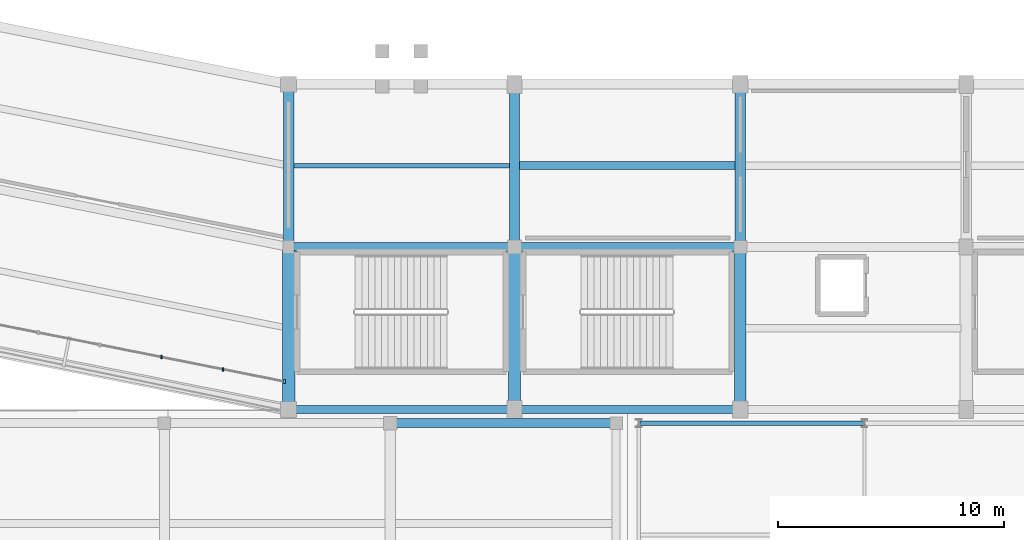
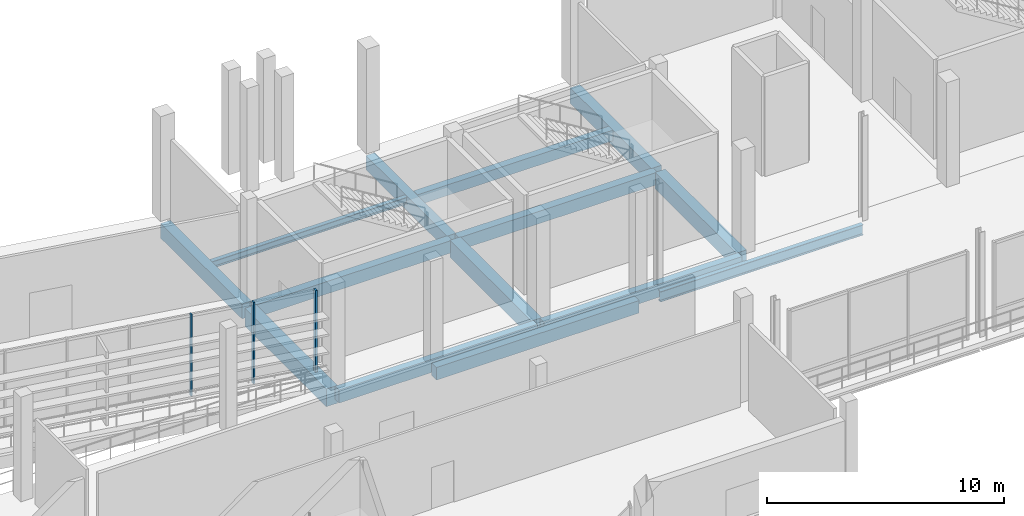
# One storey, part 19 of 111: 14 beams, 3 members, 1 element without a shape of its own.
"""IFC4 building model written with IfcOpenShell, lengths in metres."""

from ifc_helpers import new_model, si_unit, direction, frame, origin, origin_2d, place, context, subcontext, project, spatial, rectangle, i_section, extrude, material, material_profile, profile_set, type_object, element, aggregate, save


model = new_model("IFC4")

# Units and contexts
model_context = context("Model", 3, precision=1e-05, world=origin(), true_north=direction((0.0, 1.0)))
body_context = subcontext(model_context, "Body", "Model", "MODEL_VIEW")
ifc_project = project(units=[si_unit("LENGTHUNIT", "METRE"), si_unit("AREAUNIT", "SQUARE_METRE"), si_unit("VOLUMEUNIT", "CUBIC_METRE"), si_unit("PLANEANGLEUNIT", "RADIAN"), si_unit("MASSUNIT", "GRAM", prefix="KILO")], contexts=[model_context])

# Site, building, storey
site_placement = place(None, origin())
site = spatial("IfcSite", under=ifc_project, at=site_placement, CompositionType="ELEMENT")
building_placement = place(site_placement, origin())
building = spatial("IfcBuilding", under=site, at=building_placement, Name="Candeia Ridge Stadium", CompositionType="ELEMENT")
storey_placement = place(building_placement, frame((0.0, 0.0, 16.199951171875)))
storey = spatial("IfcBuildingStorey", under=building, at=storey_placement, Name="L03", CompositionType="ELEMENT", Elevation=16.199951171875)

# Beams
ifc_material_1 = material(Name="Concrete C40/50", Category="concrete")
ifc_material_profile_1 = material_profile(ifc_material_1, rectangle(XDim=0.35009765625, YDim=0.550048828125, at=origin_2d()), Name="RC350x550", Category="concrete")
ifc_profile_set_1 = profile_set([ifc_material_profile_1], Name="Concrete C40/50")
beam_type_1 = type_object("IfcBeamType", Name="Concourse Concrete Joist RC350x550", PredefinedType="JOIST", material=ifc_profile_set_1)
beam_1_placement = place(storey_placement, frame((81.221923828125, 29.800048828125, -0.52490234375), z_axis=(1.0, 0.0, 0.0), x_axis=(0.0, 1.0, 0.0)))
element("IfcBeam", 1, at=beam_1_placement, inside=storey, type_object=beam_type_1, Name="Concourse secondary joist BM-L03-0645", PredefinedType="JOIST", context=body_context, shape_type="SweptSolid", body=[
    extrude(rectangle(XDim=0.35009765625, YDim=0.550048828125, at=origin_2d()), origin(), (0.0, 0.0, 1.0), 9.55615234375),
])
ifc_material_2 = material(Name="Steel ASTM A572 Grade 50", Category="steel")
ifc_material_profile_2 = material_profile(ifc_material_2, i_section(OverallWidth=0.205078125, OverallDepth=0.35400390625, WebThickness=0.009521484375, FlangeThickness=0.016845703125, FilletRadius=0.014892578125, at=origin_2d()), Name="W360x79", Category="steel")
ifc_profile_set_2 = profile_set([ifc_material_profile_2], Name="Steel ASTM A572 Grade 50")
beam_type_2 = type_object("IfcBeamType", Name="Concourse Secondary Joist W360x79", PredefinedType="JOIST", material=ifc_profile_set_2)
beam_2_placement = place(storey_placement, frame((71.221923828125, 29.800048828125, -0.427001953125), z_axis=(1.0, 0.0, 0.0), x_axis=(0.0, 1.0, 0.0)))
element("IfcBeam", 2, at=beam_2_placement, inside=storey, type_object=beam_type_2, Name="Concourse secondary joist BM-L03-0641", PredefinedType="JOIST", context=body_context, shape_type="SweptSolid", body=[
    extrude(i_section(OverallWidth=0.205078125, OverallDepth=0.35400390625, WebThickness=0.009521484375, FlangeThickness=0.016845703125, FilletRadius=0.014892578125, at=origin_2d()), origin(), (0.0, 0.0, 1.0), 9.55615234375),
])

# Curtain wall, members
ifc_material_3 = material(Name="Aluminium Anodized Warm Bronze", Category="aluminium")
curtain_wall_type = type_object("IfcCurtainWallType", Name="Concourse Recessed Unitised Curtain Wall", PredefinedType="NOTDEFINED", material=ifc_material_3)
curtain_wall_placement = place(storey_placement, origin())
curtain_wall = element("IfcCurtainWall", 3, at=curtain_wall_placement, inside=storey, type_object=curtain_wall_type, Name="Unitised curtain wall CW-BWL-L03-17", PredefinedType="NOTDEFINED")
ifc_material_profile_3 = material_profile(ifc_material_3, rectangle(XDim=0.090087890625, YDim=0.179931640625, at=origin_2d()), Name="CWM-90x180", Category="aluminium")
ifc_profile_set_3 = profile_set([ifc_material_profile_3], Name="Aluminium Anodized Warm Bronze")
member_type_1 = type_object("IfcMemberType", Name="Curtain Wall Primary Mullion 90x180", PredefinedType="MULLION", material=ifc_profile_set_3)
member_1_placement = place(storey_placement, frame((70.823486328125, 20.235107421875, 0.0), z_axis=(0.0, 0.0, 1.0), x_axis=(1.0, 0.0, 0.0)))
member_1 = element("IfcMember", 4, at=member_1_placement, type_object=member_type_1, Name="Curtain wall mullion CW-BWL-L03-17-M7", PredefinedType="MULLION", context=body_context, shape_type="SweptSolid", body=[
    extrude(rectangle(XDim=0.090087890625, YDim=0.179931640625, at=origin_2d()), origin(), (0.0, 0.0, 1.0), 4.205078125),
])
ifc_material_profile_4 = material_profile(ifc_material_3, rectangle(XDim=0.074951171875, YDim=0.14990234375, at=origin_2d()), Name="CWM-75x150", Category="aluminium")
ifc_profile_set_4 = profile_set([ifc_material_profile_4], Name="Aluminium Anodized Warm Bronze")
member_type_2 = type_object("IfcMemberType", Name="Curtain Wall Secondary Mullion 75x150", PredefinedType="MULLION", material=ifc_profile_set_4)
member_2_placement = place(storey_placement, frame((65.3701171875, 21.31982421875, 0.0), z_axis=(0.0, 0.0, 1.0), x_axis=(1.0, 0.0, 0.0)))
member_2 = element("IfcMember", 5, at=member_2_placement, type_object=member_type_2, Name="Curtain wall mullion CW-BWL-L03-17-M5", PredefinedType="MULLION", context=body_context, shape_type="SweptSolid", body=[
    extrude(rectangle(XDim=0.074951171875, YDim=0.14990234375, at=origin_2d()), origin(), (0.0, 0.0, 1.0), 4.205078125),
])
member_3_placement = place(storey_placement, frame((68.0966796875, 20.777587890625, 0.0), z_axis=(0.0, 0.0, 1.0), x_axis=(1.0, 0.0, 0.0)))
member_3 = element("IfcMember", 6, at=member_3_placement, type_object=member_type_2, Name="Curtain wall mullion CW-BWL-L03-17-M6", PredefinedType="MULLION", context=body_context, shape_type="SweptSolid", body=[
    extrude(rectangle(XDim=0.074951171875, YDim=0.14990234375, at=origin_2d()), origin(), (0.0, 0.0, 1.0), 4.205078125),
])
aggregate(curtain_wall, [member_2, member_3, member_1])

# Beams
ifc_material_profile_5 = material_profile(ifc_material_1, rectangle(XDim=0.389892578125, YDim=0.639892578125, at=origin_2d()), Name="RC390x640", Category="concrete")
ifc_profile_set_5 = profile_set([ifc_material_profile_5], Name="Concrete C40/50")
beam_type_3 = type_object("IfcBeamType", Name="Frame Girder RC390x640", PredefinedType="BEAM", material=ifc_profile_set_5)
for number, where, z_axis, x_axis, name in (
    (7, (71.159912109375, 26.199951171875, -0.570068359375), (1.0, 0.0, 0.0), (0.0, 1.0, 0.0), "Concourse spine girder BM-L03-0639"),
    (8, (81.159912109375, 26.199951171875, -0.570068359375), (1.0, 0.0, 0.0), (0.0, 1.0, 0.0), "Concourse spine girder BM-L03-0643"),
):
    element("IfcBeam", number, at=place(storey_placement, frame(where, z_axis=z_axis, x_axis=x_axis)), inside=storey, type_object=beam_type_3, Name=name, PredefinedType="BEAM", context=body_context, shape_type="SweptSolid", body=[
        extrude(rectangle(XDim=0.389892578125, YDim=0.639892578125, at=origin_2d()), origin(), (0.0, 0.0, 1.0), 9.68017578125),
    ])
ifc_material_profile_6 = material_profile(ifc_material_1, rectangle(XDim=0.429931640625, YDim=0.739990234375, at=origin_2d()), Name="RC430x740", Category="concrete")
ifc_profile_set_6 = profile_set([ifc_material_profile_6], Name="Concrete C40/50")
beam_type_4 = type_object("IfcBeamType", Name="Frame Girder RC430x740", PredefinedType="BEAM", material=ifc_profile_set_6)
beam_3_placement = place(storey_placement, frame((81.0, 33.239990234375, -0.619873046875), z_axis=(0.0, -1.0, 0.0), x_axis=(1.0, 0.0, 0.0)))
element("IfcBeam", 9, at=beam_3_placement, inside=storey, type_object=beam_type_4, Name="Bowl radial girder BM-L03-0519", PredefinedType="BEAM", context=body_context, shape_type="SweptSolid", body=[
    extrude(rectangle(XDim=0.429931640625, YDim=0.739990234375, at=origin_2d()), origin(), (0.0, 0.0, 1.0), 6.8798828125),
])
ifc_material_profile_7 = material_profile(ifc_material_1, rectangle(XDim=0.469970703125, YDim=0.760009765625, at=origin_2d()), Name="RC470x760", Category="concrete")
ifc_profile_set_7 = profile_set([ifc_material_profile_7], Name="Concrete C40/50")
beam_type_5 = type_object("IfcBeamType", Name="Frame Girder RC470x760", PredefinedType="BEAM", material=ifc_profile_set_7)
beam_4_placement = place(storey_placement, frame((71.0, 33.239990234375, -0.6298828125), z_axis=(0.0, -1.0, 0.0), x_axis=(1.0, 0.0, 0.0)))
element("IfcBeam", 10, at=beam_4_placement, inside=storey, type_object=beam_type_5, Name="Bowl radial girder BM-L03-0517", PredefinedType="BEAM", context=body_context, shape_type="SweptSolid", body=[
    extrude(rectangle(XDim=0.469970703125, YDim=0.760009765625, at=origin_2d()), origin(), (0.0, 0.0, 1.0), 6.8798828125),
])
ifc_material_4 = material(Name="Concrete C45/55", Category="concrete")
ifc_material_profile_8 = material_profile(ifc_material_4, rectangle(XDim=0.47998046875, YDim=0.820068359375, at=origin_2d()), Name="RC480x820", Category="concrete")
ifc_profile_set_8 = profile_set([ifc_material_profile_8], Name="Concrete C45/55")
beam_type_6 = type_object("IfcBeamType", Name="Frame Girder RC480x820", PredefinedType="BEAM", material=ifc_profile_set_8)
beam_5_placement = place(storey_placement, frame((91.0, 33.239990234375, -0.659912109375), z_axis=(0.0, -1.0, 0.0), x_axis=(1.0, 0.0, 0.0)))
element("IfcBeam", 11, at=beam_5_placement, inside=storey, type_object=beam_type_6, Name="Bowl radial girder BM-L03-0521", PredefinedType="BEAM", context=body_context, shape_type="SweptSolid", body=[
    extrude(rectangle(XDim=0.47998046875, YDim=0.820068359375, at=origin_2d()), origin(), (0.0, 0.0, 1.0), 6.8798828125),
])
ifc_material_profile_9 = material_profile(ifc_material_4, rectangle(XDim=0.5, YDim=0.85009765625, at=origin_2d()), Name="RC500x850", Category="concrete")
ifc_profile_set_9 = profile_set([ifc_material_profile_9], Name="Concrete C45/55")
beam_type_7 = type_object("IfcBeamType", Name="Frame Girder RC500x850", PredefinedType="BEAM", material=ifc_profile_set_9)
beam_6_placement = place(storey_placement, frame((91.0, 26.0400390625, -0.675048828125), z_axis=(0.0, -1.0, 0.0), x_axis=(1.0, 0.0, 0.0)))
element("IfcBeam", 12, at=beam_6_placement, inside=storey, type_object=beam_type_7, Name="Bowl radial girder BM-L03-0522", PredefinedType="BEAM", context=body_context, shape_type="SweptSolid", body=[
    extrude(rectangle(XDim=0.5, YDim=0.85009765625, at=origin_2d()), origin(), (0.0, 0.0, 1.0), 6.880126953125),
])
ifc_material_profile_10 = material_profile(ifc_material_4, rectangle(XDim=0.52001953125, YDim=0.8798828125, at=origin_2d()), Name="RC520x880", Category="concrete")
ifc_profile_set_10 = profile_set([ifc_material_profile_10], Name="Concrete C45/55")
beam_type_8 = type_object("IfcBeamType", Name="Frame Girder RC520x880", PredefinedType="BEAM", material=ifc_profile_set_10)
beam_7_placement = place(storey_placement, frame((81.0, 26.0400390625, -0.68994140625), z_axis=(0.0, -1.0, 0.0), x_axis=(1.0, 0.0, 0.0)))
element("IfcBeam", 13, at=beam_7_placement, inside=storey, type_object=beam_type_8, Name="Bowl radial girder BM-L03-0520", PredefinedType="BEAM", context=body_context, shape_type="SweptSolid", body=[
    extrude(rectangle(XDim=0.52001953125, YDim=0.8798828125, at=origin_2d()), origin(), (0.0, 0.0, 1.0), 6.880126953125),
])
ifc_material_profile_11 = material_profile(ifc_material_4, rectangle(XDim=0.550048828125, YDim=0.919921875, at=origin_2d()), Name="RC550x920", Category="concrete")
ifc_profile_set_11 = profile_set([ifc_material_profile_11], Name="Concrete C45/55")
beam_type_9 = type_object("IfcBeamType", Name="Frame Girder RC550x920", PredefinedType="BEAM", material=ifc_profile_set_11)
beam_8_placement = place(storey_placement, frame((71.0, 26.0400390625, -0.7099609375), z_axis=(0.0, -1.0, 0.0), x_axis=(1.0, 0.0, 0.0)))
element("IfcBeam", 14, at=beam_8_placement, inside=storey, type_object=beam_type_9, Name="Bowl radial girder BM-L03-0518", PredefinedType="BEAM", context=body_context, shape_type="SweptSolid", body=[
    extrude(rectangle(XDim=0.550048828125, YDim=0.919921875, at=origin_2d()), origin(), (0.0, 0.0, 1.0), 6.880126953125),
])
ifc_material_profile_12 = material_profile(ifc_material_2, i_section(OverallWidth=0.208984375, OverallDepth=0.532958984375, WebThickness=0.01025390625, FlangeThickness=0.015625, FilletRadius=0.013916015625, at=origin_2d()), Name="W530x92", Category="steel")
ifc_profile_set_12 = profile_set([ifc_material_profile_12], Name="Steel ASTM A572 Grade 50")
beam_type_10 = type_object("IfcBeamType", Name="Gate Portal Girder W530x92", PredefinedType="BEAM", material=ifc_profile_set_12)
beam_9_placement = place(storey_placement, frame((86.550048828125, 18.39990234375, -0.516357421875), z_axis=(1.0, 0.0, 0.0), x_axis=(0.0, 1.0, 0.0)))
element("IfcBeam", 15, at=beam_9_placement, inside=storey, type_object=beam_type_10, Name="Structural girder BM-L03-2365", PredefinedType="BEAM", context=body_context, shape_type="SweptSolid", body=[
    extrude(i_section(OverallWidth=0.208984375, OverallDepth=0.532958984375, WebThickness=0.01025390625, FlangeThickness=0.015625, FilletRadius=0.013916015625, at=origin_2d()), origin(), (0.0, 0.0, 1.0), 9.89990234375),
])
ifc_material_profile_13 = material_profile(ifc_material_1, rectangle(XDim=0.340087890625, YDim=0.679931640625, at=origin_2d()), Name="RC340x680", Category="concrete")
ifc_profile_set_13 = profile_set([ifc_material_profile_13], Name="Concrete C40/50")
beam_type_11 = type_object("IfcBeamType", Name="Spandrel Beam RC340x680", PredefinedType="SPANDREL", material=ifc_profile_set_13)
for number, where, z_axis, x_axis, name in (
    (16, (71.159912109375, 19.0, -0.58984375), (1.0, 0.0, 0.0), (0.0, 1.0, 0.0), "Bowl perimeter spandrel BM-L03-0640"),
    (17, (81.159912109375, 19.0, -0.58984375), (1.0, 0.0, 0.0), (0.0, 1.0, 0.0), "Bowl perimeter spandrel BM-L03-0644"),
):
    element("IfcBeam", number, at=place(storey_placement, frame(where, z_axis=z_axis, x_axis=x_axis)), inside=storey, type_object=beam_type_11, Name=name, PredefinedType="SPANDREL", context=body_context, shape_type="SweptSolid", body=[
        extrude(rectangle(XDim=0.340087890625, YDim=0.679931640625, at=origin_2d()), origin(), (0.0, 0.0, 1.0), 9.68017578125),
    ])
ifc_material_profile_14 = material_profile(ifc_material_1, rectangle(XDim=0.39990234375, YDim=0.64990234375, at=origin_2d()), Name="RC400x650", Category="concrete")
ifc_profile_set_14 = profile_set([ifc_material_profile_14], Name="Concrete C40/50")
beam_type_12 = type_object("IfcBeamType", Name="Wing Primary Girder RC400x650", PredefinedType="BEAM", material=ifc_profile_set_14)
beam_10_placement = place(storey_placement, frame((75.550048828125, 18.39990234375, -0.574951171875), z_axis=(1.0, 0.0, 0.0), x_axis=(0.0, 1.0, 0.0)))
element("IfcBeam", 18, at=beam_10_placement, inside=storey, type_object=beam_type_12, Name="Structural girder BM-L03-2317", PredefinedType="BEAM", context=body_context, shape_type="SweptSolid", body=[
    extrude(rectangle(XDim=0.39990234375, YDim=0.64990234375, at=origin_2d()), origin(), (0.0, 0.0, 1.0), 9.89990234375),
])

save(model, "model.ifc")
